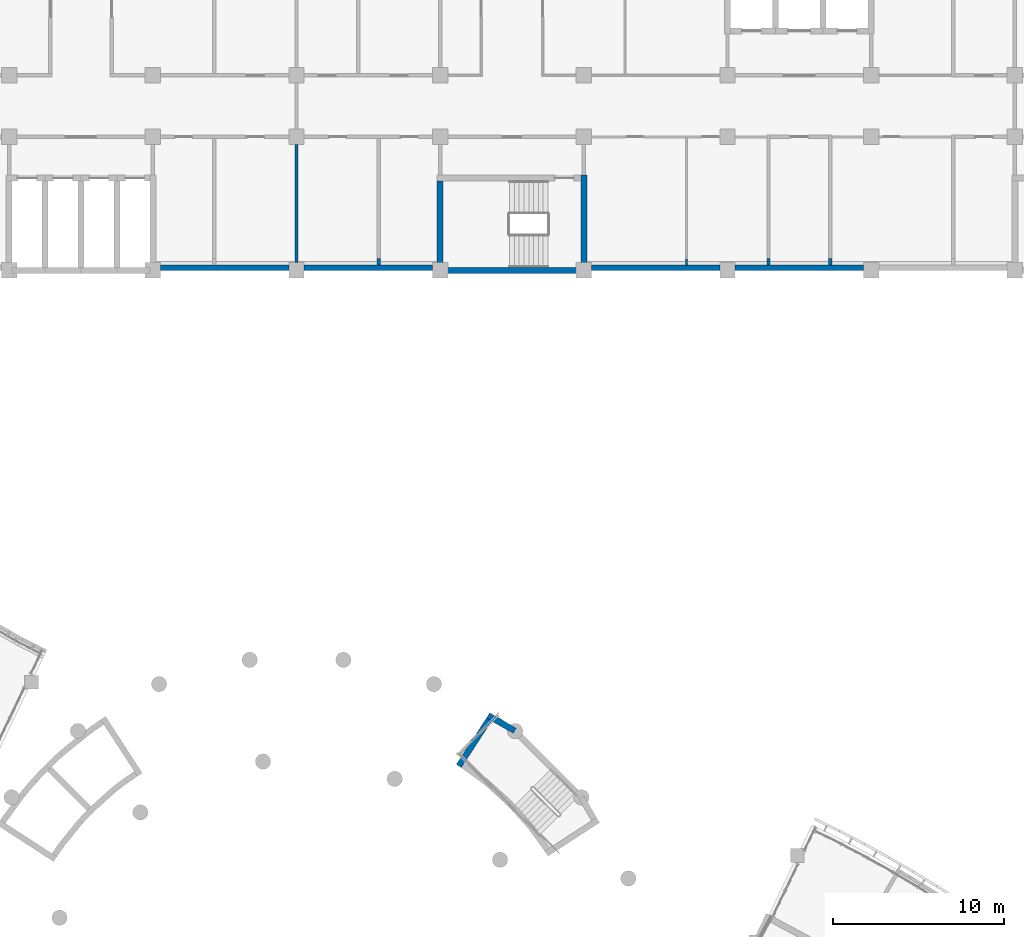
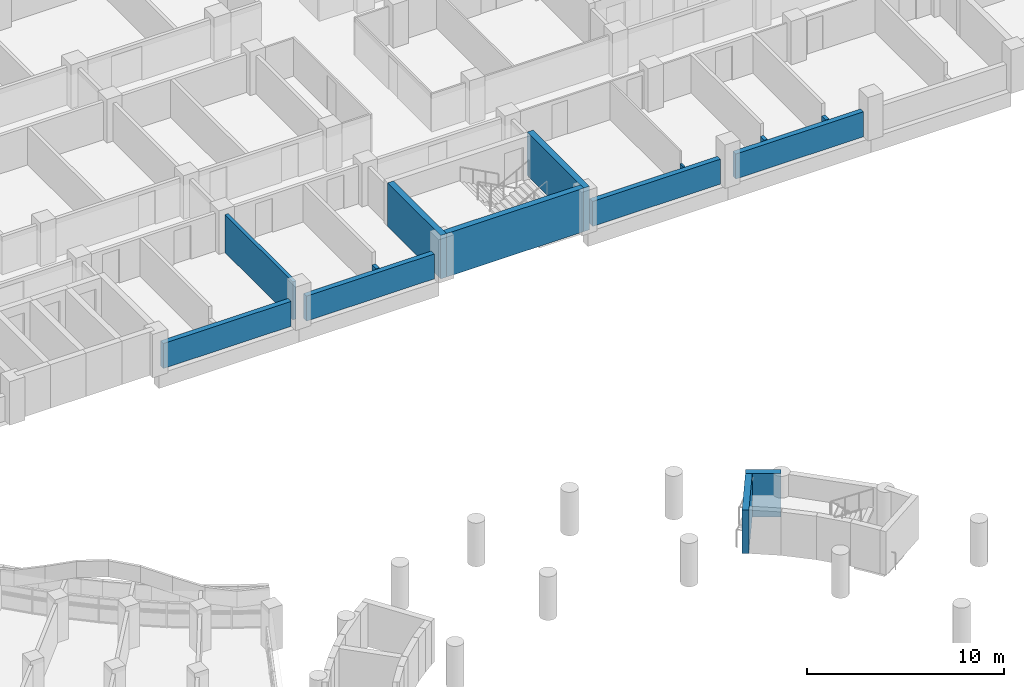
# One storey, part 47 of 89: 14 walls.
"""IFC4 building model written with IfcOpenShell, lengths in metres."""

from ifc_helpers import new_model, si_unit, direction, frame, frame_2d, origin, place, context, subcontext, project, spatial, rectangle, extrude, material, layer, layer_set, type_object, element, save


model = new_model("IFC4")

# Units and contexts
model_context = context("Model", 3, precision=1e-05, world=origin(), true_north=direction((0.0, 1.0)))
body_context = subcontext(model_context, "Body", "Model", "MODEL_VIEW")
ifc_project = project(units=[si_unit("LENGTHUNIT", "METRE"), si_unit("AREAUNIT", "SQUARE_METRE"), si_unit("VOLUMEUNIT", "CUBIC_METRE"), si_unit("PLANEANGLEUNIT", "RADIAN"), si_unit("MASSUNIT", "GRAM", prefix="KILO")], contexts=[model_context])

# Site, building, storey
site_placement = place(None, origin())
site = spatial("IfcSite", under=ifc_project, at=site_placement, CompositionType="ELEMENT")
building_placement = place(site_placement, origin())
building = spatial("IfcBuilding", under=site, at=building_placement, Name="Bougainvillea Quay General Hospital", CompositionType="ELEMENT")
storey_placement = place(building_placement, frame((0.0, 0.0, 9.89990234375)))
storey = spatial("IfcBuildingStorey", under=building, at=storey_placement, Name="L01M", CompositionType="ELEMENT", Elevation=9.89990234375)

# Walls
ifc_material_1 = material(Name="Pale stone rainscreen cladding on insulated masonry backing, pale stone", Category="masonry")
ifc_layer_1 = layer(ifc_material_1, 0.300048828125)
ifc_layer_set_1 = layer_set([ifc_layer_1], Name="Pale stone rainscreen cladding on insulated masonry backing, pale stone")
wall_type_1 = type_object("IfcWallType", Name="External wall pale stone rainscreen 300", PredefinedType="STANDARD", material=ifc_layer_set_1)
for number, where, z_axis, x_axis, name in (
    (1, (101.25, 117.75, 0.0), (0.0, 0.0, 1.0), (1.0, 0.0, 0.0), "External wall wall/V4/L01M/p1/04a"),
    (2, (109.64990234375, 117.75, 0.0), (0.0, 0.0, 1.0), (1.0, 0.0, 0.0), "External wall wall/V4/L01M/p1/04b"),
    (3, (126.449951171875, 117.75, 0.0), (0.0, 0.0, 1.0), (1.0, 0.0, 0.0), "External wall wall/V4/L01M/p1/04c"),
    (4, (134.85009765625, 117.75, 0.0), (0.0, 0.0, 1.0), (1.0, 0.0, 0.0), "External wall wall/V4/L01M/p1/04d"),
):
    element("IfcWall", number, at=place(storey_placement, frame(where, z_axis=z_axis, x_axis=x_axis)), inside=storey, type_object=wall_type_1, Name=name, PredefinedType="STANDARD", context=body_context, shape_type="SweptSolid", body=[
        extrude(rectangle(XDim=7.5, YDim=0.300048828125, at=frame_2d((3.75, 0.0))), origin(), (0.0, 0.0, 1.0), 1.550048828125),
    ])
ifc_material_2 = material(Name="Gypsum board partition on steel studs", Category="steel")
ifc_layer_2 = layer(ifc_material_2, 0.10009765625)
ifc_layer_set_2 = layer_set([ifc_layer_2], Name="Gypsum board partition on steel studs")
wall_type_2 = type_object("IfcWallType", Name="Partition 100 Gypsum board partition", PredefinedType="PARTITIONING", material=ifc_layer_set_2)
wall_1_placement = place(storey_placement, frame((131.998046875, 117.89990234375, 0.0), z_axis=(0.0, 0.0, 1.0), x_axis=(0.0, 1.0, 0.0)))
element("IfcWall", 5, at=wall_1_placement, inside=storey, type_object=wall_type_2, Name="Partition 100 mm", PredefinedType="PARTITIONING", context=body_context, shape_type="SweptSolid", body=[
    extrude(rectangle(XDim=0.35009765625, YDim=0.10009765625, at=frame_2d((0.175048828125, 0.0))), origin(), (0.0, 0.0, 1.0), 1.580078125),
])
ifc_material_3 = material(Name="Fire-rated autoclaved aerated block wall, plastered")
ifc_layer_3 = layer(ifc_material_3, 0.199951171875)
ifc_layer_set_3 = layer_set([ifc_layer_3], Name="Fire-rated autoclaved aerated block wall, plastered")
wall_type_3 = type_object("IfcWallType", Name="Partition 200 Fire-rated autoclaved aerated block wall EI 120", PredefinedType="SOLIDWALL", material=ifc_layer_set_3)
wall_2_placement = place(storey_placement, frame((109.199951171875, 124.949951171875, 0.0), z_axis=(0.0, 0.0, 1.0), x_axis=(0.0, -1.0, 0.0)))
element("IfcWall", 6, at=wall_2_placement, inside=storey, type_object=wall_type_3, Name="Partition 200 mm EI 120", PredefinedType="SOLIDWALL", context=body_context, shape_type="SweptSolid", body=[
    extrude(rectangle(XDim=6.89990234375, YDim=0.199951171875, at=frame_2d((3.449951171875, 0.0))), origin(), (0.0, 0.0, 1.0), 2.35009765625),
])
wall_3_placement = place(storey_placement, frame((114.0, 117.89990234375, 0.0), z_axis=(0.0, 0.0, 1.0), x_axis=(0.0, 1.0, 0.0)))
element("IfcWall", 7, at=wall_3_placement, inside=storey, type_object=wall_type_3, Name="Partition 200 mm EI 120", PredefinedType="SOLIDWALL", context=body_context, shape_type="SweptSolid", body=[
    extrude(rectangle(XDim=0.400146484375, YDim=0.199951171875, at=frame_2d((0.2001953125, 0.0))), origin(), (0.0, 0.0, 1.0), 1.580078125),
])
ifc_layer_4 = layer(ifc_material_3, 0.199951171875)
ifc_layer_set_4 = layer_set([ifc_layer_4], Name="Fire-rated autoclaved aerated block wall, plastered")
wall_type_4 = type_object("IfcWallType", Name="Partition 200 Fire-rated autoclaved aerated block wall EI 60", PredefinedType="SOLIDWALL", material=ifc_layer_set_4)
for number, where, z_axis, x_axis, name in (
    (8, (136.798095703125, 117.89990234375, 0.0), (0.0, 0.0, 1.0), (0.0, 1.0, 0.0), "Partition 200 mm EI 60"),
    (9, (140.39794921875, 117.89990234375, 0.0), (0.0, 0.0, 1.0), (0.0, 1.0, 0.0), "Partition 200 mm EI 60"),
):
    element("IfcWall", number, at=place(storey_placement, frame(where, z_axis=z_axis, x_axis=x_axis)), inside=storey, type_object=wall_type_4, Name=name, PredefinedType="SOLIDWALL", context=body_context, shape_type="SweptSolid", body=[
        extrude(rectangle(XDim=0.400146484375, YDim=0.199951171875, at=frame_2d((0.2001953125, 0.0))), origin(), (0.0, 0.0, 1.0), 1.580078125),
    ])
ifc_material_4 = material(Name="Concrete C40", Category="concrete")
ifc_layer_5 = layer(ifc_material_4, 0.35009765625)
ifc_layer_set_5 = layer_set([ifc_layer_5], Name="Concrete C40")
wall_type_5 = type_object("IfcWallType", Name="RC SHEAR WALL 350 C40", PredefinedType="SHEAR", material=ifc_layer_set_5)
wall_4_placement = place(storey_placement, frame((117.60009765625, 117.425048828125, 0.0), z_axis=(0.0, 0.0, 1.0), x_axis=(0.0, 1.0, 0.0)))
element("IfcWall", 10, at=wall_4_placement, inside=storey, type_object=wall_type_5, Name="Shear wall L01M", PredefinedType="SHEAR", context=body_context, shape_type="SweptSolid", body=[
    extrude(rectangle(XDim=5.39990234375, YDim=0.35009765625, at=frame_2d((2.699951171875, 0.0))), origin(), (0.0, 0.0, 1.0), 2.7001953125),
])
wall_5_placement = place(storey_placement, frame((117.77490234375, 117.60009765625, 0.0), z_axis=(0.0, 0.0, 1.0), x_axis=(1.0, 0.0, 0.0)))
element("IfcWall", 11, at=wall_5_placement, inside=storey, type_object=wall_type_5, Name="Shear wall L01M", PredefinedType="SHEAR", context=body_context, shape_type="SweptSolid", body=[
    extrude(rectangle(XDim=8.050048828125, YDim=0.35009765625, at=frame_2d((4.02490234375, 0.0))), origin(), (0.0, 0.0, 1.0), 2.7001953125),
])
wall_6_placement = place(storey_placement, frame((118.690673828125, 88.6142578125, 0.0), z_axis=(0.0, 0.0, 1.0), x_axis=(0.544668615038, 0.838651357712, 0.0)))
element("IfcWall", 12, at=wall_6_placement, inside=storey, type_object=wall_type_5, Name="Shear wall L01M", PredefinedType="SHEAR", context=body_context, shape_type="SweptSolid", body=[
    extrude(rectangle(XDim=3.248046875, YDim=0.35009765625, at=frame_2d((1.6240234375, 0.0))), origin(), (0.0, 0.0, 1.0), 2.7001953125),
])
wall_7_placement = place(storey_placement, frame((120.403564453125, 91.572509765625, 0.0), z_axis=(0.0, 0.0, 1.0), x_axis=(0.866050214951, -0.499957023337, 0.0)))
element("IfcWall", 13, at=wall_7_placement, inside=storey, type_object=wall_type_5, Name="Shear wall L01M", PredefinedType="SHEAR", context=body_context, shape_type="SweptSolid", body=[
    extrude(rectangle(XDim=1.802001953125, YDim=0.35009765625, at=frame_2d((0.90087890625, 0.0))), origin(), (0.0, 0.0, 1.0), 2.7001953125),
])
wall_8_placement = place(storey_placement, frame((126.0, 117.425048828125, 0.0), z_axis=(0.0, 0.0, 1.0), x_axis=(0.0, 1.0, 0.0)))
element("IfcWall", 14, at=wall_8_placement, inside=storey, type_object=wall_type_5, Name="Shear wall L01M", PredefinedType="SHEAR", context=body_context, shape_type="SweptSolid", body=[
    extrude(rectangle(XDim=5.75, YDim=0.35009765625, at=frame_2d((2.875, 0.0))), origin(), (0.0, 0.0, 1.0), 2.7001953125),
])

save(model, "model.ifc")
